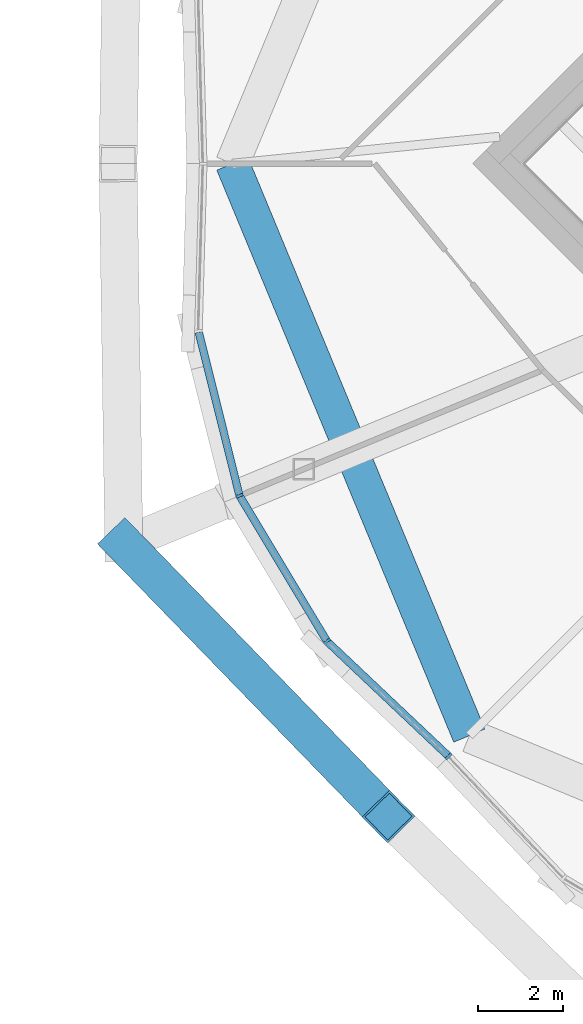
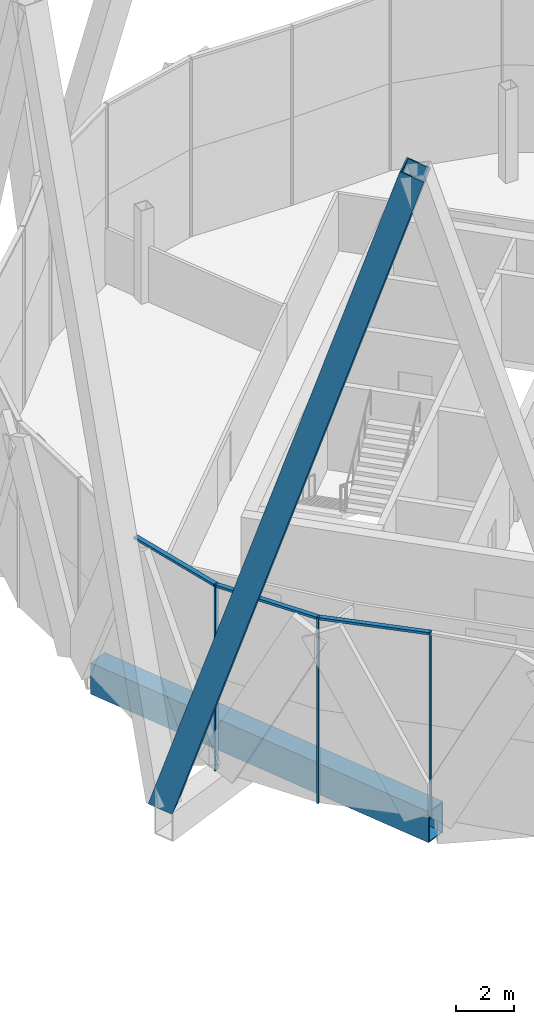
# One storey, part 22 of 53: 7 members, 1 beam, 1 element without a shape of its own.
"""IFC4 building model written with IfcOpenShell, lengths in metres."""

from ifc_helpers import new_model, si_unit, direction, frame, origin, origin_2d, place, context, subcontext, project, spatial, rectangle, hollow_rectangle, extrude, material, material_profile, profile_set, type_object, element, aggregate, save


model = new_model("IFC4")

# Units and contexts
model_context = context("Model", 3, precision=1e-05, world=origin(), true_north=direction((0.0, 1.0)))
body_context = subcontext(model_context, "Body", "Model", "MODEL_VIEW")
ifc_project = project(units=[si_unit("LENGTHUNIT", "METRE"), si_unit("AREAUNIT", "SQUARE_METRE"), si_unit("VOLUMEUNIT", "CUBIC_METRE"), si_unit("PLANEANGLEUNIT", "RADIAN"), si_unit("MASSUNIT", "GRAM", prefix="KILO")], contexts=[model_context])

# Site, building, storey
site_placement = place(None, origin())
site = spatial("IfcSite", under=ifc_project, at=site_placement, CompositionType="ELEMENT")
building_placement = place(site_placement, origin())
building = spatial("IfcBuilding", under=site, at=building_placement, Name="Ogive Gate Towers", CompositionType="ELEMENT")
storey_placement = place(building_placement, frame((0.0, 0.0, 240.60009765625)))
storey = spatial("IfcBuildingStorey", under=building, at=storey_placement, Name="L57", CompositionType="ELEMENT", Elevation=240.60009765625)

# Member
ifc_material_1 = material(Name="Steel SM460", Category="steel")
ifc_material_profile_1 = material_profile(ifc_material_1, hollow_rectangle(XDim=0.89990234375, YDim=0.89990234375, WallThickness=0.050048828125, at=origin_2d()), Name="BX 900x900x50")
ifc_profile_set_1 = profile_set([ifc_material_profile_1], Name="Steel SM460")
member_type_1 = type_object("IfcMemberType", Name="Diagrid diagonal BX 900x900x50", PredefinedType="BRACE", material=ifc_profile_set_1)
member_1_placement = place(storey_placement, frame((14.32568359375, -8.977783203125, 0.0), z_axis=(0.211259451685, -0.217751746913, 0.952866003586), x_axis=(0.717725362087, 0.696326291775, 0.0)))
element("IfcMember", 1, at=member_1_placement, inside=storey, type_object=member_type_1, Name="T2/L57/SDG010", PredefinedType="BRACE", context=body_context, shape_type="SweptSolid", body=[
    extrude(hollow_rectangle(XDim=0.89990234375, YDim=0.89990234375, WallThickness=0.050048828125, at=origin_2d()), origin(), (0.0, 0.0, 1.0), 29.594970703125),
])

# Beam
ifc_material_profile_2 = material_profile(ifc_material_1, hollow_rectangle(XDim=0.800048828125, YDim=1.300048828125, WallThickness=0.050048828125, at=origin_2d()), Name="BX 1300x800x50")
ifc_profile_set_2 = profile_set([ifc_material_profile_2], Name="Steel SM460")
beam_type = type_object("IfcBeamType", Name="Edge girder BX 1300x800x50", PredefinedType="BEAM", material=ifc_profile_set_2)
beam_placement = place(storey_placement, frame((16.889892578125, 0.0, -0.9501953125), z_axis=(0.38269921506, -0.923872994947, 0.0), x_axis=(0.923872994947, 0.38269921506, 0.0)))
element("IfcBeam", 2, at=beam_placement, inside=storey, type_object=beam_type, Name="T2/L57/SBM024", PredefinedType="BEAM", context=body_context, shape_type="SweptSolid", body=[
    extrude(hollow_rectangle(XDim=0.800048828125, YDim=1.300048828125, WallThickness=0.050048828125, at=origin_2d()), origin(), (0.0, 0.0, 1.0), 14.626220703125),
])

# Curtain wall, members
ifc_material_2 = material(Name="Pale metal aluminium", Category="aluminium")
curtain_wall_type = type_object("IfcCurtainWallType", Name="Tower unitised wall, high zone", PredefinedType="NOTDEFINED", material=ifc_material_2)
curtain_wall_placement = place(storey_placement, origin())
curtain_wall = element("IfcCurtainWall", 3, at=curtain_wall_placement, inside=storey, type_object=curtain_wall_type, Name="CW2 T2 ECW05", PredefinedType="NOTDEFINED")
ifc_material_profile_3 = material_profile(ifc_material_2, rectangle(XDim=0.179931640625, YDim=0.06005859375, at=origin_2d()), Name="60 x 180 aluminium box")
ifc_profile_set_3 = profile_set([ifc_material_profile_3], Name="Pale metal aluminium")
member_type_2 = type_object("IfcMemberType", Name="Tower unitised wall, high zone mullion 60 x 180", PredefinedType="MULLION", material=ifc_profile_set_3)
member_2_placement = place(storey_placement, frame((17.059326171875, -7.845458984375, -0.300048828125), z_axis=(0.0, 0.0, 1.0), x_axis=(-0.923879532511, -0.382683432365, 0.0)))
member_2 = element("IfcMember", 4, at=member_2_placement, type_object=member_type_2, Name="CW2 mullion", PredefinedType="MULLION", context=body_context, shape_type="SweptSolid", body=[
    extrude(rectangle(XDim=0.179931640625, YDim=0.06005859375, at=origin_2d()), origin(), (0.0, 0.0, 1.0), 7.800048828125),
])
member_3_placement = place(storey_placement, frame((19.125, -11.284912109375, -0.300048828125), z_axis=(0.0, 0.0, 1.0), x_axis=(-0.779283280466, -0.626671819046, 0.0)))
member_3 = element("IfcMember", 5, at=member_3_placement, type_object=member_type_2, Name="CW2 mullion", PredefinedType="MULLION", context=body_context, shape_type="SweptSolid", body=[
    extrude(rectangle(XDim=0.179931640625, YDim=0.06005859375, at=origin_2d()), origin(), (0.0, 0.0, 1.0), 7.800048828125),
])
member_4_placement = place(storey_placement, frame((21.9990234375, -14.00048828125, -0.300048828125), z_axis=(0.0, 0.0, 1.0), x_axis=(-0.686795789687, -0.726850427027, 0.0)))
member_4 = element("IfcMember", 6, at=member_4_placement, type_object=member_type_2, Name="CW2 mullion", PredefinedType="MULLION", context=body_context, shape_type="SweptSolid", body=[
    extrude(rectangle(XDim=0.179931640625, YDim=0.06005859375, at=origin_2d()), origin(), (0.0, 0.0, 1.0), 7.800048828125),
])
ifc_material_profile_4 = material_profile(ifc_material_2, rectangle(XDim=0.179931640625, YDim=0.10009765625, at=origin_2d()), Name="100 x 180 aluminium box")
ifc_profile_set_4 = profile_set([ifc_material_profile_4], Name="Pale metal aluminium")
member_type_3 = type_object("IfcMemberType", Name="Tower unitised wall, high zone transom 100 x 180", PredefinedType="USERDEFINED", material=ifc_profile_set_4)
member_5_placement = place(storey_placement, frame((16.094970703125, -3.98046875, 7.449951171875), z_axis=(0.24209986874, -0.970251335251, 0.0), x_axis=(0.970251335251, 0.24209986874, 0.0)))
member_5 = element("IfcMember", 7, at=member_5_placement, type_object=member_type_3, Name="CW2 transom", ObjectType="TRANSOM", PredefinedType="USERDEFINED", context=body_context, shape_type="SweptSolid", body=[
    extrude(rectangle(XDim=0.179931640625, YDim=0.10009765625, at=origin_2d()), origin(), (0.0, 0.0, 1.0), 3.955078125),
])
member_6_placement = place(storey_placement, frame((17.07421875, -7.869873046875, 7.449951171875), z_axis=(0.51482252034, -0.857296782072, 0.0), x_axis=(0.857296782072, 0.51482252034, 0.0)))
member_6 = element("IfcMember", 8, at=member_6_placement, type_object=member_type_3, Name="CW2 transom", ObjectType="TRANSOM", PredefinedType="USERDEFINED", context=body_context, shape_type="SweptSolid", body=[
    extrude(rectangle(XDim=0.179931640625, YDim=0.10009765625, at=origin_2d()), origin(), (0.0, 0.0, 1.0), 3.955078125),
])
member_7_placement = place(storey_placement, frame((19.14599609375, -11.3046875, 7.449951171875), z_axis=(0.726848007603, -0.686798350204, 0.0), x_axis=(0.686798350204, 0.726848007603, 0.0)))
member_7 = element("IfcMember", 9, at=member_7_placement, type_object=member_type_3, Name="CW2 transom", ObjectType="TRANSOM", PredefinedType="USERDEFINED", context=body_context, shape_type="SweptSolid", body=[
    extrude(rectangle(XDim=0.179931640625, YDim=0.10009765625, at=origin_2d()), origin(), (0.0, 0.0, 1.0), 3.895263671875),
])
aggregate(curtain_wall, [member_2, member_5, member_3, member_6, member_4, member_7])

save(model, "model.ifc")
